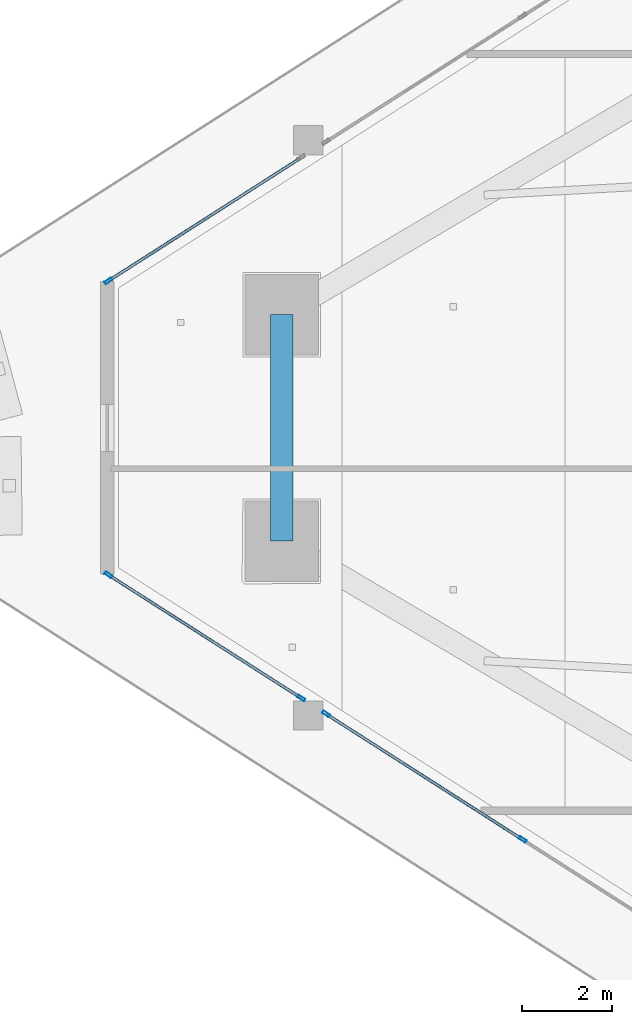
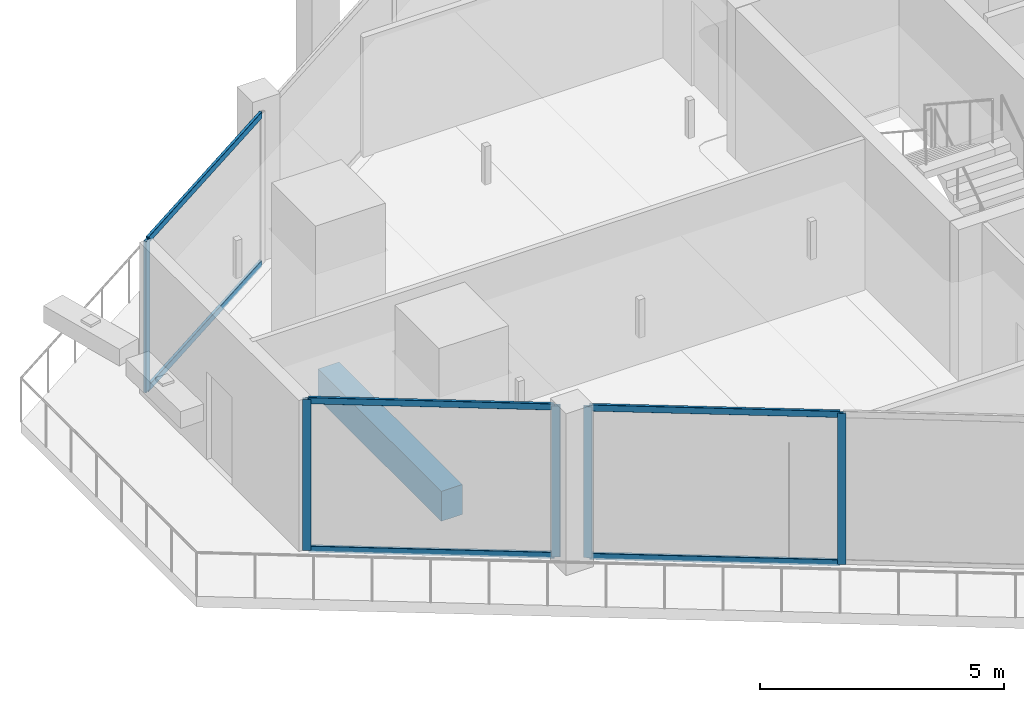
# One storey, part 6 of 30: 11 members, 1 beam, 3 elements without a shape of their own.
"""IFC4 building model written with IfcOpenShell, lengths in metres."""

from ifc_helpers import new_model, si_unit, direction, frame, origin, origin_2d, place, context, subcontext, project, spatial, rectangle, hollow_rectangle, extrude, material, layer, layer_set, material_profile, profile_set, type_object, element, aggregate, save


model = new_model("IFC4")

# Units and contexts
model_context = context("Model", 3, precision=1e-05, world=origin(), true_north=direction((0.0, 1.0)))
body_context = subcontext(model_context, "Body", "Model", "MODEL_VIEW")
ifc_project = project(units=[si_unit("LENGTHUNIT", "METRE"), si_unit("AREAUNIT", "SQUARE_METRE"), si_unit("VOLUMEUNIT", "CUBIC_METRE"), si_unit("PLANEANGLEUNIT", "RADIAN"), si_unit("MASSUNIT", "GRAM", prefix="KILO")], contexts=[model_context])

# Site, building, storey
site_placement = place(None, origin())
site = spatial("IfcSite", under=ifc_project, at=site_placement, CompositionType="ELEMENT")
building_placement = place(site_placement, origin())
building = spatial("IfcBuilding", under=site, at=building_placement, Name="Qorvath Tower", CompositionType="ELEMENT")
storey_placement = place(building_placement, frame((0.0, 0.0, 217.199951171875)))
storey = spatial("IfcBuildingStorey", under=building, at=storey_placement, Name="L50", CompositionType="ELEMENT", Elevation=217.199951171875)

# Beam
ifc_material_1 = material(Name="Concrete C45/55", Category="concrete")
ifc_material_profile_1 = material_profile(ifc_material_1, rectangle(XDim=0.5, YDim=0.75, at=origin_2d()), Name="RCB 750x500")
ifc_profile_set_1 = profile_set([ifc_material_profile_1], Name="Concrete C45/55")
beam_type = type_object("IfcBeamType", Name="BM-RCB3", PredefinedType="SPANDREL", material=ifc_profile_set_1)
beam_placement = place(storey_placement, frame((-49.171875, 2.52783203125, -0.64501953125), z_axis=(0.0, -1.0, 0.0), x_axis=(1.0, 0.0, 0.0)))
element("IfcBeam", 1, at=beam_placement, inside=storey, type_object=beam_type, Name="Perimeter Loggia Frame Beam MC1-MC2 L50", PredefinedType="SPANDREL", context=body_context, shape_type="SweptSolid", body=[
    extrude(rectangle(XDim=0.5, YDim=0.75, at=origin_2d()), origin(), (0.0, 0.0, 1.0), 5.0556640625),
])

# Curtain wall, members
ifc_material_2 = material(Name="Anodised aluminium and triple low-E glass", Category="aluminium")
ifc_layer = layer(ifc_material_2, 0.179931640625)
ifc_layer_set = layer_set([ifc_layer], Name="CW-SYS-3")
curtain_wall_type = type_object("IfcCurtainWallType", Name="CW-SYS-3", PredefinedType="NOTDEFINED", material=ifc_layer_set)
curtain_wall_1_placement = place(storey_placement, origin())
curtain_wall_1 = element("IfcCurtainWall", 2, at=curtain_wall_1_placement, inside=storey, type_object=curtain_wall_type, Name="Curtain Wall CW-3 CW-T-L50-2.1", PredefinedType="NOTDEFINED")
ifc_material_3 = material(Name="Anodised aluminium 6063-T6", Category="aluminium")
ifc_material_profile_2 = material_profile(ifc_material_3, hollow_rectangle(XDim=0.06494140625, YDim=0.179931640625, WallThickness=0.00341796875, InnerFilletRadius=0.00341796875, OuterFilletRadius=0.007080078125, at=origin_2d()), Name="CWM 180x65")
ifc_profile_set_2 = profile_set([ifc_material_profile_2], Name="Anodised aluminium 6063-T6")
member_type_1 = type_object("IfcMemberType", Name="CWM-180", PredefinedType="MULLION", material=ifc_profile_set_2)
member_1_placement = place(storey_placement, frame((-53.04052734375, -3.284423828125, 0.0), z_axis=(0.0, 0.0, 1.0), x_axis=(0.53855312183, 0.842591558804, 0.0)))
member_1 = element("IfcMember", 3, at=member_1_placement, type_object=member_type_1, Name="CW-3 mullion 1", PredefinedType="MULLION", context=body_context, shape_type="SweptSolid", body=[
    extrude(hollow_rectangle(XDim=0.06494140625, YDim=0.179931640625, WallThickness=0.00341796875, InnerFilletRadius=0.00341796875, OuterFilletRadius=0.007080078125, at=origin_2d()), origin(), (0.0, 0.0, 1.0), 3.780029296875),
])
member_2_placement = place(storey_placement, frame((-48.7333984375, -6.037109375, 0.0), z_axis=(0.0, 0.0, 1.0), x_axis=(0.53855312183, 0.842591558804, 0.0)))
member_2 = element("IfcMember", 4, at=member_2_placement, type_object=member_type_1, Name="CW-3 mullion 2", PredefinedType="MULLION", context=body_context, shape_type="SweptSolid", body=[
    extrude(hollow_rectangle(XDim=0.06494140625, YDim=0.179931640625, WallThickness=0.00341796875, InnerFilletRadius=0.00341796875, OuterFilletRadius=0.007080078125, at=origin_2d()), origin(), (0.0, 0.0, 1.0), 3.780029296875),
])

curtain_wall_2_placement = place(storey_placement, origin())
curtain_wall_2 = element("IfcCurtainWall", 5, at=curtain_wall_2_placement, inside=storey, type_object=curtain_wall_type, Name="Curtain Wall CW-3 CW-T-L50-2.2", PredefinedType="NOTDEFINED")
member_3_placement = place(storey_placement, frame((-48.18115234375, -6.39013671875, 0.0), z_axis=(0.0, 0.0, 1.0), x_axis=(0.538534785809, 0.842603278224, 0.0)))
member_3 = element("IfcMember", 6, at=member_3_placement, type_object=member_type_1, Name="CW-3 mullion 1", PredefinedType="MULLION", context=body_context, shape_type="SweptSolid", body=[
    extrude(hollow_rectangle(XDim=0.06494140625, YDim=0.179931640625, WallThickness=0.00341796875, InnerFilletRadius=0.00341796875, OuterFilletRadius=0.007080078125, at=origin_2d()), origin(), (0.0, 0.0, 1.0), 3.780029296875),
])
member_4_placement = place(storey_placement, frame((-43.791259765625, -9.19580078125, 0.0), z_axis=(0.0, 0.0, 1.0), x_axis=(0.538534785809, 0.842603278224, 0.0)))
member_4 = element("IfcMember", 7, at=member_4_placement, type_object=member_type_1, Name="CW-3 mullion 2", PredefinedType="MULLION", context=body_context, shape_type="SweptSolid", body=[
    extrude(hollow_rectangle(XDim=0.06494140625, YDim=0.179931640625, WallThickness=0.00341796875, InnerFilletRadius=0.00341796875, OuterFilletRadius=0.007080078125, at=origin_2d()), origin(), (0.0, 0.0, 1.0), 3.780029296875),
])

# Curtain wall, member
curtain_wall_3_placement = place(storey_placement, origin())
curtain_wall_3 = element("IfcCurtainWall", 8, at=curtain_wall_3_placement, inside=storey, type_object=curtain_wall_type, Name="Curtain Wall CW-3 CW-T-L50-16.2", PredefinedType="NOTDEFINED")
member_5_placement = place(storey_placement, frame((-53.04052734375, 3.284423828125, 0.0), z_axis=(0.0, 0.0, 1.0), x_axis=(0.53855312183, -0.842591558804, 0.0)))
member_5 = element("IfcMember", 9, at=member_5_placement, type_object=member_type_1, Name="CW-3 mullion 2", PredefinedType="MULLION", context=body_context, shape_type="SweptSolid", body=[
    extrude(hollow_rectangle(XDim=0.06494140625, YDim=0.179931640625, WallThickness=0.00341796875, InnerFilletRadius=0.00341796875, OuterFilletRadius=0.007080078125, at=origin_2d()), origin(), (0.0, 0.0, 1.0), 3.780029296875),
])

# Member
ifc_material_4 = material(Name="Anodised aluminium 6063-T6", Category="aluminium")
ifc_material_profile_3 = material_profile(ifc_material_4, hollow_rectangle(XDim=0.06494140625, YDim=0.159912109375, WallThickness=0.00341796875, InnerFilletRadius=0.00341796875, OuterFilletRadius=0.007080078125, at=origin_2d()), Name="CWT 160x65")
ifc_profile_set_3 = profile_set([ifc_material_profile_3], Name="Anodised aluminium 6063-T6")
member_type_2 = type_object("IfcMemberType", Name="CWT-160", PredefinedType="USERDEFINED", material=ifc_profile_set_3)
member_6_placement = place(storey_placement, frame((-53.01318359375, -3.3017578125, 0.032470703125), z_axis=(0.842576132209, -0.538577256697, 0.0), x_axis=(0.538577256697, 0.842576132209, 0.0)))
member_6 = element("IfcMember", 10, at=member_6_placement, type_object=member_type_2, Name="CW-3 transom 1.1", ObjectType="TRANSOM", PredefinedType="USERDEFINED", context=body_context, shape_type="SweptSolid", body=[
    extrude(hollow_rectangle(XDim=0.06494140625, YDim=0.159912109375, WallThickness=0.00341796875, InnerFilletRadius=0.00341796875, OuterFilletRadius=0.007080078125, at=origin_2d()), origin(), (0.0, 0.0, 1.0), 5.046630859375),
])

member_7_placement = place(storey_placement, frame((-53.01318359375, -3.3017578125, 3.74755859375), z_axis=(0.842576132209, -0.538577256697, 0.0), x_axis=(0.538577256697, 0.842576132209, 0.0)))
member_7 = element("IfcMember", 11, at=member_7_placement, type_object=member_type_2, Name="CW-3 transom 1.2", ObjectType="TRANSOM", PredefinedType="USERDEFINED", context=body_context, shape_type="SweptSolid", body=[
    extrude(hollow_rectangle(XDim=0.06494140625, YDim=0.159912109375, WallThickness=0.00341796875, InnerFilletRadius=0.00341796875, OuterFilletRadius=0.007080078125, at=origin_2d()), origin(), (0.0, 0.0, 1.0), 5.046630859375),
])

aggregate(curtain_wall_1, [member_1, member_2, member_6, member_7])

member_8_placement = place(storey_placement, frame((-48.15380859375, -6.40771484375, 0.032470703125), z_axis=(0.842612520647, -0.538520324639, 0.0), x_axis=(0.538520324639, 0.842612520647, 0.0)))
member_8 = element("IfcMember", 12, at=member_8_placement, type_object=member_type_2, Name="CW-3 transom 1.1", ObjectType="TRANSOM", PredefinedType="USERDEFINED", context=body_context, shape_type="SweptSolid", body=[
    extrude(hollow_rectangle(XDim=0.06494140625, YDim=0.159912109375, WallThickness=0.00341796875, InnerFilletRadius=0.00341796875, OuterFilletRadius=0.007080078125, at=origin_2d()), origin(), (0.0, 0.0, 1.0), 5.144775390625),
])

member_9_placement = place(storey_placement, frame((-48.15380859375, -6.40771484375, 3.74755859375), z_axis=(0.842612520647, -0.538520324639, 0.0), x_axis=(0.538520324639, 0.842612520647, 0.0)))
member_9 = element("IfcMember", 13, at=member_9_placement, type_object=member_type_2, Name="CW-3 transom 1.2", ObjectType="TRANSOM", PredefinedType="USERDEFINED", context=body_context, shape_type="SweptSolid", body=[
    extrude(hollow_rectangle(XDim=0.06494140625, YDim=0.159912109375, WallThickness=0.00341796875, InnerFilletRadius=0.00341796875, OuterFilletRadius=0.007080078125, at=origin_2d()), origin(), (0.0, 0.0, 1.0), 5.144775390625),
])

aggregate(curtain_wall_2, [member_3, member_4, member_8, member_9])

member_10_placement = place(storey_placement, frame((-48.760986328125, 6.019775390625, 0.032470703125), z_axis=(-0.842576132209, -0.538577256697, 0.0), x_axis=(0.538577256697, -0.842576132209, 0.0)))
member_10 = element("IfcMember", 14, at=member_10_placement, type_object=member_type_2, Name="CW-3 transom 1.1", ObjectType="TRANSOM", PredefinedType="USERDEFINED", context=body_context, shape_type="SweptSolid", body=[
    extrude(hollow_rectangle(XDim=0.06494140625, YDim=0.159912109375, WallThickness=0.00341796875, InnerFilletRadius=0.00341796875, OuterFilletRadius=0.007080078125, at=origin_2d()), origin(), (0.0, 0.0, 1.0), 5.046630859375),
])

member_11_placement = place(storey_placement, frame((-48.760986328125, 6.019775390625, 3.74755859375), z_axis=(-0.842576132209, -0.538577256697, 0.0), x_axis=(0.538577256697, -0.842576132209, 0.0)))
member_11 = element("IfcMember", 15, at=member_11_placement, type_object=member_type_2, Name="CW-3 transom 1.2", ObjectType="TRANSOM", PredefinedType="USERDEFINED", context=body_context, shape_type="SweptSolid", body=[
    extrude(hollow_rectangle(XDim=0.06494140625, YDim=0.159912109375, WallThickness=0.00341796875, InnerFilletRadius=0.00341796875, OuterFilletRadius=0.007080078125, at=origin_2d()), origin(), (0.0, 0.0, 1.0), 5.046630859375),
])

aggregate(curtain_wall_3, [member_5, member_10, member_11])

save(model, "model.ifc")
